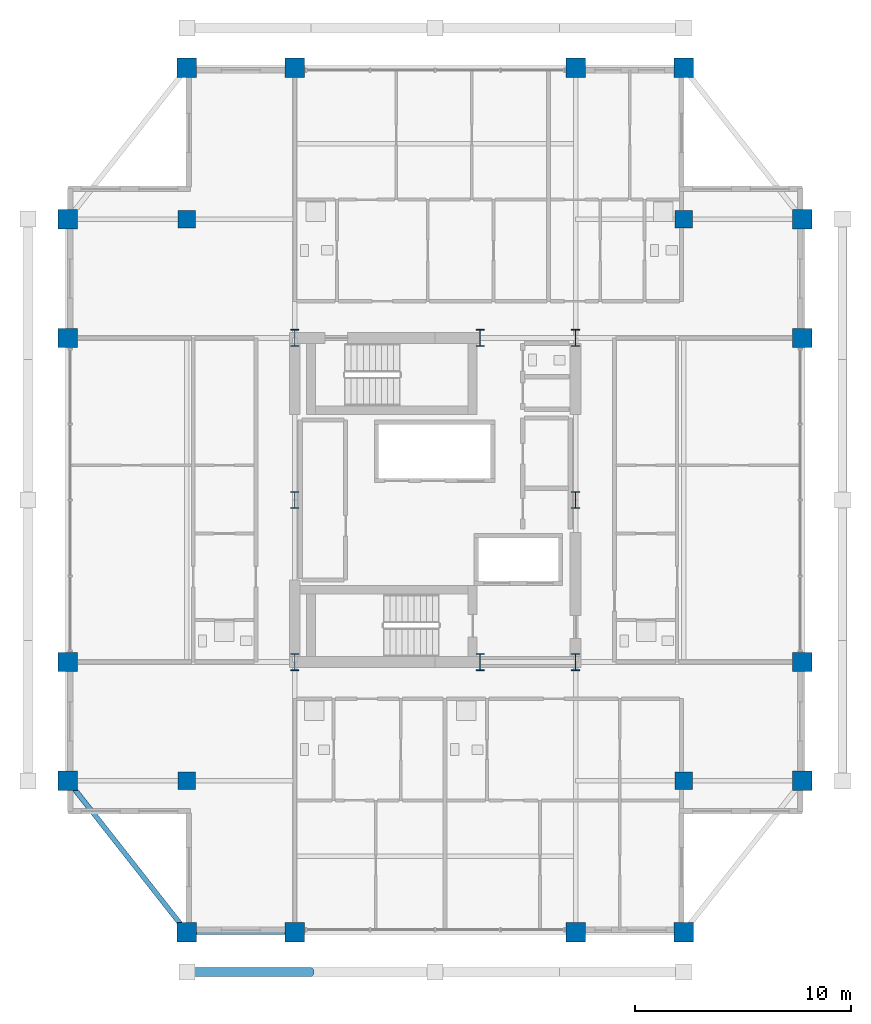
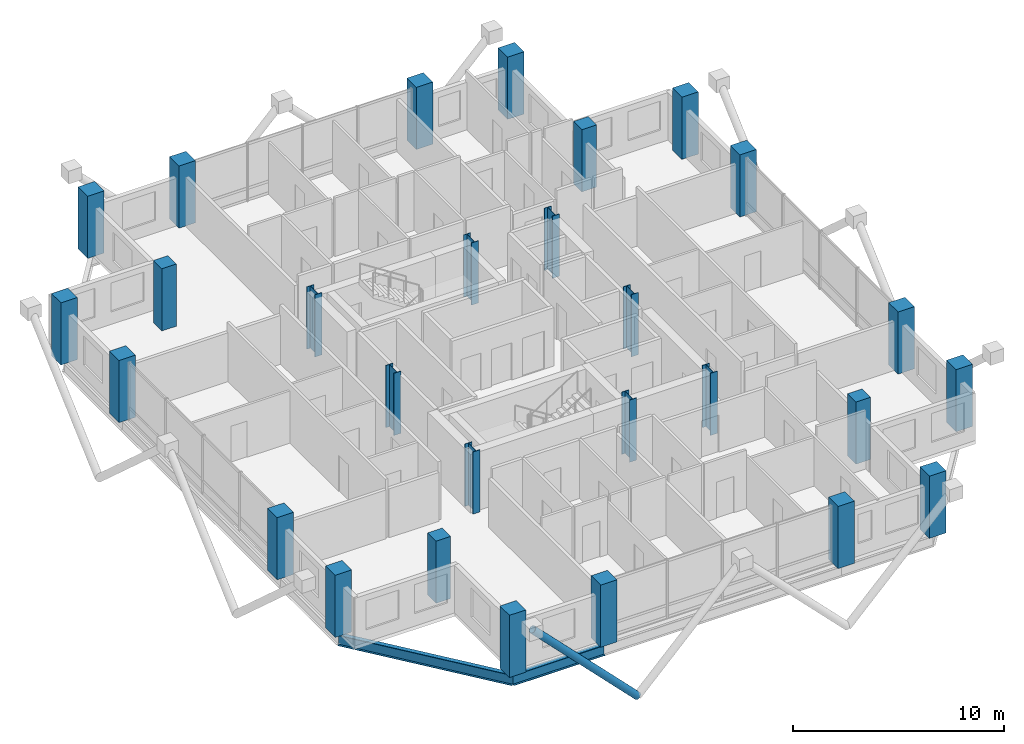
# One storey, part 1 of 24: 28 columns, 2 beams, 1 member.
"""IFC4 building model written with IfcOpenShell, lengths in metres."""

from ifc_helpers import new_model, si_unit, direction, frame, origin, origin_2d, place, context, subcontext, project, spatial, rectangle, hollow_circle, i_section, extrude, material, material_profile, profile_set, type_object, element, save


model = new_model("IFC4")

# Units and contexts
model_context = context("Model", 3, precision=1e-05, world=origin(), true_north=direction((0.0, 1.0)))
body_context = subcontext(model_context, "Body", "Model", "MODEL_VIEW")
ifc_project = project(units=[si_unit("LENGTHUNIT", "METRE"), si_unit("AREAUNIT", "SQUARE_METRE"), si_unit("VOLUMEUNIT", "CUBIC_METRE"), si_unit("PLANEANGLEUNIT", "RADIAN"), si_unit("MASSUNIT", "GRAM", prefix="KILO")], contexts=[model_context])

# Site, building, storey
site_placement = place(None, origin())
site = spatial("IfcSite", under=ifc_project, at=site_placement, CompositionType="ELEMENT")
building_placement = place(site_placement, origin())
building = spatial("IfcBuilding", under=site, at=building_placement, Name="Barlavira Tower and Art Museum", CompositionType="ELEMENT")
storey_placement = place(building_placement, frame((0.0, 0.0, 225.89990234375)))
storey = spatial("IfcBuildingStorey", under=building, at=storey_placement, Name="L58", CompositionType="ELEMENT", Elevation=225.89990234375)

# Columns
ifc_material_1 = material(Name="Steel S355", Category="steel")
ifc_material_profile_1 = material_profile(ifc_material_1, i_section(OverallWidth=0.382080078125, OverallDepth=0.785888671875, WebThickness=0.02001953125, FlangeThickness=0.032958984375, at=origin_2d()), Name="W760x314.0")
ifc_profile_set_1 = profile_set([ifc_material_profile_1], Name="Steel S355")
column_type_1 = type_object("IfcColumnType", Name="Core Composite Column W760x314 Steel S355", PredefinedType="COLUMN", material=ifc_profile_set_1)
for number, where, z_axis, x_axis, name in (
    (1, (-6.5, -7.5, 0.0), (0.0, 0.0, 1.0), (1.0, 0.0, 0.0), "L58 Column CC-L58-C1"),
    (2, (2.080078125, -7.5, 0.0), (0.0, 0.0, 1.0), (1.0, 0.0, 0.0), "L58 Column CC-L58-C2"),
    (3, (6.5, -7.5, 0.0), (0.0, 0.0, 1.0), (1.0, 0.0, 0.0), "L58 Column CC-L58-C3"),
    (4, (-6.5, 0.0, 0.0), (0.0, 0.0, 1.0), (1.0, 0.0, 0.0), "L58 Column CC-L58-C4"),
    (5, (6.5, 0.0, 0.0), (0.0, 0.0, 1.0), (1.0, 0.0, 0.0), "L58 Column CC-L58-C5"),
    (6, (-6.5, 7.5, 0.0), (0.0, 0.0, 1.0), (1.0, 0.0, 0.0), "L58 Column CC-L58-C6"),
    (7, (2.080078125, 7.5, 0.0), (0.0, 0.0, 1.0), (1.0, 0.0, 0.0), "L58 Column CC-L58-C7"),
    (8, (6.5, 7.5, 0.0), (0.0, 0.0, 1.0), (1.0, 0.0, 0.0), "L58 Column CC-L58-C8"),
):
    element("IfcColumn", number, at=place(storey_placement, frame(where, z_axis=z_axis, x_axis=x_axis)), inside=storey, type_object=column_type_1, Name=name, PredefinedType="COLUMN", context=body_context, shape_type="SweptSolid", body=[
        extrude(i_section(OverallWidth=0.382080078125, OverallDepth=0.785888671875, WebThickness=0.02001953125, FlangeThickness=0.032958984375, at=origin_2d()), origin(), (0.0, 0.0, 1.0), 3.60009765625),
    ])
ifc_material_2 = material(Name="Concrete C50", Category="concrete")
ifc_material_profile_2 = material_profile(ifc_material_2, rectangle(XDim=0.89990234375, YDim=0.89990234375, at=origin_2d()), Name="RC-COL 900x900")
ifc_profile_set_2 = profile_set([ifc_material_profile_2], Name="Concrete C50")
column_type_2 = type_object("IfcColumnType", Name="Perimeter Mega Column 900x900 Concrete C50", PredefinedType="USERDEFINED", material=ifc_profile_set_2)
for number, where, z_axis, x_axis, name in (
    (9, (-11.5, -20.0, 0.0), (0.0, 0.0, 1.0), (1.0, 0.0, 0.0), "L58 Column MC-L58-M01"),
    (10, (-6.5, -20.0, 0.0), (0.0, 0.0, 1.0), (1.0, 0.0, 0.0), "L58 Column MC-L58-M02"),
    (11, (6.5, -20.0, 0.0), (0.0, 0.0, 1.0), (1.0, 0.0, 0.0), "L58 Column MC-L58-M03"),
    (12, (11.5, -20.0, 0.0), (0.0, 0.0, 1.0), (1.0, 0.0, 0.0), "L58 Column MC-L58-M04"),
    (13, (17.0, -13.0, 0.0), (0.0, 0.0, 1.0), (1.0, 0.0, 0.0), "L58 Column MC-L58-M05"),
    (14, (17.0, -7.5, 0.0), (0.0, 0.0, 1.0), (1.0, 0.0, 0.0), "L58 Column MC-L58-M06"),
    (15, (17.0, 7.5, 0.0), (0.0, 0.0, 1.0), (1.0, 0.0, 0.0), "L58 Column MC-L58-M07"),
    (16, (17.0, 13.0, 0.0), (0.0, 0.0, 1.0), (1.0, 0.0, 0.0), "L58 Column MC-L58-M08"),
    (17, (11.5, 20.0, 0.0), (0.0, 0.0, 1.0), (1.0, 0.0, 0.0), "L58 Column MC-L58-M09"),
    (18, (6.5, 20.0, 0.0), (0.0, 0.0, 1.0), (1.0, 0.0, 0.0), "L58 Column MC-L58-M10"),
    (19, (-6.5, 20.0, 0.0), (0.0, 0.0, 1.0), (1.0, 0.0, 0.0), "L58 Column MC-L58-M11"),
    (20, (-11.5, 20.0, 0.0), (0.0, 0.0, 1.0), (1.0, 0.0, 0.0), "L58 Column MC-L58-M12"),
    (21, (-17.0, 13.0, 0.0), (0.0, 0.0, 1.0), (1.0, 0.0, 0.0), "L58 Column MC-L58-M13"),
    (22, (-17.0, 7.5, 0.0), (0.0, 0.0, 1.0), (1.0, 0.0, 0.0), "L58 Column MC-L58-M14"),
    (23, (-17.0, -7.5, 0.0), (0.0, 0.0, 1.0), (1.0, 0.0, 0.0), "L58 Column MC-L58-M15"),
    (24, (-17.0, -13.0, 0.0), (0.0, 0.0, 1.0), (1.0, 0.0, 0.0), "L58 Column MC-L58-M16"),
):
    element("IfcColumn", number, at=place(storey_placement, frame(where, z_axis=z_axis, x_axis=x_axis)), inside=storey, type_object=column_type_2, Name=name, ObjectType="MEGA COLUMN", PredefinedType="USERDEFINED", context=body_context, shape_type="SweptSolid", body=[
        extrude(rectangle(XDim=0.89990234375, YDim=0.89990234375, at=origin_2d()), origin(), (0.0, 0.0, 1.0), 3.60009765625),
    ])
ifc_material_profile_3 = material_profile(ifc_material_2, rectangle(XDim=0.800048828125, YDim=0.800048828125, at=origin_2d()), Name="RC-COL 800x800")
ifc_profile_set_3 = profile_set([ifc_material_profile_3], Name="Concrete C50")
column_type_3 = type_object("IfcColumnType", Name="Podium Frame Column 800x800 Concrete C50", PredefinedType="COLUMN", material=ifc_profile_set_3)
for number, where, z_axis, x_axis, name in (
    (25, (-11.5, -13.0, 0.0), (0.0, 0.0, 1.0), (1.0, 0.0, 0.0), "L58 Column CI-L58-I1"),
    (26, (11.5, -13.0, 0.0), (0.0, 0.0, 1.0), (1.0, 0.0, 0.0), "L58 Column CI-L58-I2"),
    (27, (-11.5, 13.0, 0.0), (0.0, 0.0, 1.0), (1.0, 0.0, 0.0), "L58 Column CI-L58-I3"),
    (28, (11.5, 13.0, 0.0), (0.0, 0.0, 1.0), (1.0, 0.0, 0.0), "L58 Column CI-L58-I4"),
):
    element("IfcColumn", number, at=place(storey_placement, frame(where, z_axis=z_axis, x_axis=x_axis)), inside=storey, type_object=column_type_3, Name=name, PredefinedType="COLUMN", context=body_context, shape_type="SweptSolid", body=[
        extrude(rectangle(XDim=0.800048828125, YDim=0.800048828125, at=origin_2d()), origin(), (0.0, 0.0, 1.0), 3.60009765625),
    ])

# Member
ifc_material_profile_4 = material_profile(ifc_material_1, hollow_circle(Radius=0.203125, WallThickness=0.01611328125, at=origin_2d()), Name="CHS 406.4x16.0")
ifc_profile_set_4 = profile_set([ifc_material_profile_4], Name="Steel S355")
member_type = type_object("IfcMemberType", Name="Pale-Metal Exoskeleton Diagrid Tube CHS 406x16 Steel S355", PredefinedType="BRACE", material=ifc_profile_set_4)
member_placement = place(storey_placement, frame((-5.75, -21.85009765625, -2.369873046875), z_axis=(-0.700993913973, 0.0, 0.713167254276), x_axis=(0.0, -1.0, 0.0)))
element("IfcMember", 29, at=member_placement, inside=storey, type_object=member_type, Name="L58 Exoskeleton Diagrid Tube S", PredefinedType="BRACE", context=body_context, shape_type="SweptSolid", body=[
    extrude(hollow_circle(Radius=0.203125, WallThickness=0.01611328125, at=origin_2d()), origin(), (0.0, 0.0, 1.0), 8.20263671875),
])

# Beams
ifc_material_profile_5 = material_profile(ifc_material_1, i_section(OverallWidth=0.22998046875, OverallDepth=0.616943359375, WebThickness=0.01318359375, FlangeThickness=0.022216796875, at=origin_2d()), Name="W610x140.0")
ifc_profile_set_5 = profile_set([ifc_material_profile_5], Name="Steel S355")
beam_type = type_object("IfcBeamType", Name="Upper Shaft Spandrel Edge Beam W610x140 Steel S355", PredefinedType="SPANDREL", material=ifc_profile_set_5)
beam_1_placement = place(storey_placement, frame((-11.5, -20.0, -0.5283203125), z_axis=(1.0, 0.0, 0.0), x_axis=(0.0, 1.0, 0.0)))
element("IfcBeam", 30, at=beam_1_placement, inside=storey, type_object=beam_type, Name="L58 Spandrel 1", PredefinedType="SPANDREL", context=body_context, shape_type="SweptSolid", body=[
    extrude(i_section(OverallWidth=0.22998046875, OverallDepth=0.616943359375, WebThickness=0.01318359375, FlangeThickness=0.022216796875, at=origin_2d()), origin(), (0.0, 0.0, 1.0), 5.0),
])
beam_2_placement = place(storey_placement, frame((-17.0, -13.0, -0.5283203125), z_axis=(0.617821551932, -0.786318338822, 0.0), x_axis=(0.786318338822, 0.617821551932, 0.0)))
element("IfcBeam", 31, at=beam_2_placement, inside=storey, type_object=beam_type, Name="L58 Spandrel 16", PredefinedType="SPANDREL", context=body_context, shape_type="SweptSolid", body=[
    extrude(i_section(OverallWidth=0.22998046875, OverallDepth=0.616943359375, WebThickness=0.01318359375, FlangeThickness=0.022216796875, at=origin_2d()), origin(), (0.0, 0.0, 1.0), 8.90234375),
])

save(model, "model.ifc")
